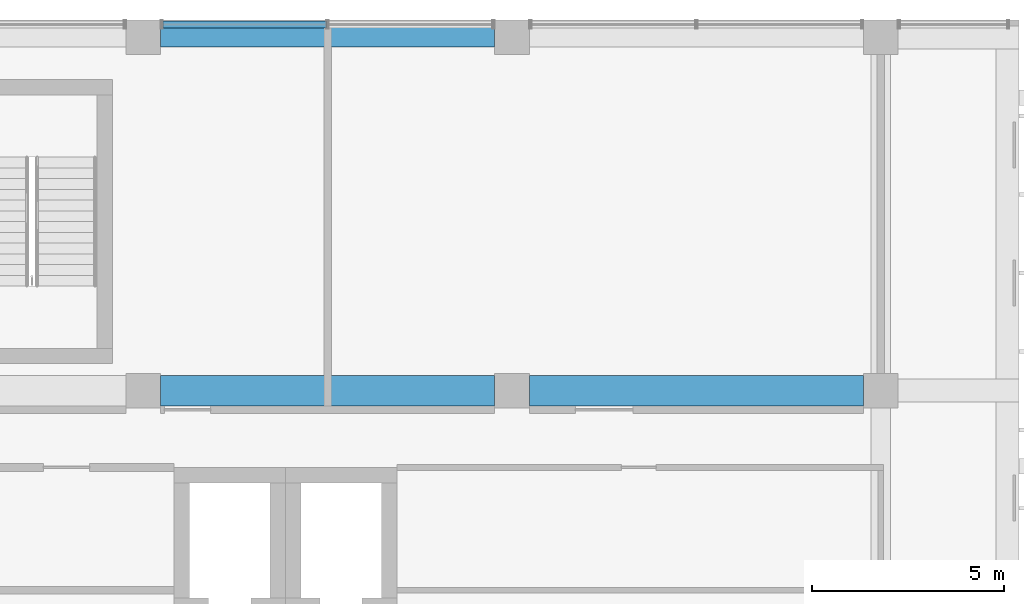
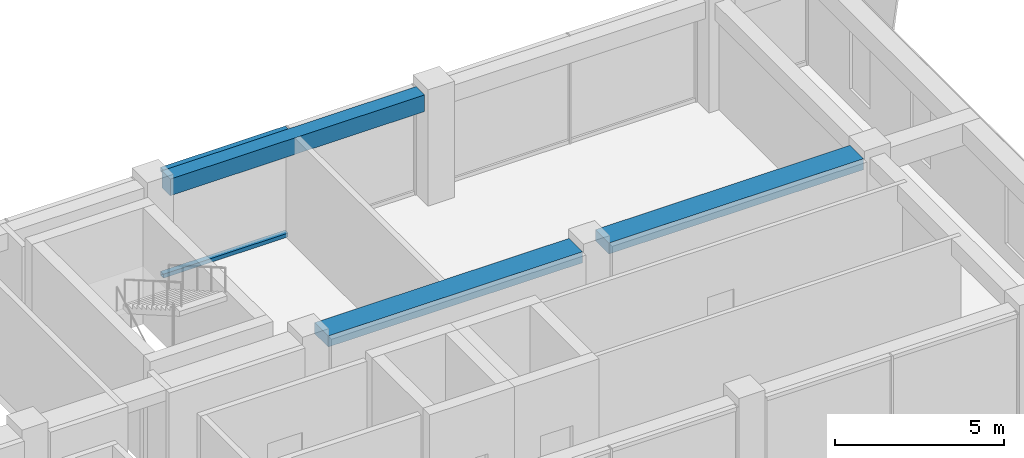
# One storey, part 23 of 37: 3 beams, 2 members, 1 element without a shape of its own.
"""IFC4 building model written with IfcOpenShell, lengths in metres."""

from ifc_helpers import new_model, si_unit, direction, frame, origin, origin_2d, place, context, subcontext, project, spatial, rectangle, hollow_rectangle, extrude, material, layer, layer_set, material_profile, profile_set, type_object, element, aggregate, save


model = new_model("IFC4")

# Units and contexts
model_context = context("Model", 3, precision=1e-05, world=origin(), true_north=direction((0.0, 1.0)))
body_context = subcontext(model_context, "Body", "Model", "MODEL_VIEW")
ifc_project = project(units=[si_unit("LENGTHUNIT", "METRE"), si_unit("AREAUNIT", "SQUARE_METRE"), si_unit("VOLUMEUNIT", "CUBIC_METRE"), si_unit("PLANEANGLEUNIT", "RADIAN"), si_unit("MASSUNIT", "GRAM", prefix="KILO")], contexts=[model_context])

# Site, building, storey
site_placement = place(None, origin())
site = spatial("IfcSite", under=ifc_project, at=site_placement, CompositionType="ELEMENT")
building_placement = place(site_placement, origin())
building = spatial("IfcBuilding", under=site, at=building_placement, Name="Nzadi Deep Aquarium and Research Tower", CompositionType="ELEMENT")
storey_placement = place(building_placement, frame((0.0, 0.0, 61.300048828125)))
storey = spatial("IfcBuildingStorey", under=building, at=storey_placement, Name="L12", CompositionType="ELEMENT", Elevation=61.300048828125)

# Beams
ifc_material_1 = material(Name="Concrete C35/45", Category="concrete")
ifc_material_profile_1 = material_profile(ifc_material_1, rectangle(XDim=0.5, YDim=0.60009765625, at=origin_2d()))
ifc_profile_set_1 = profile_set([ifc_material_profile_1], Name="Concrete C35/45")
beam_type_1 = type_object("IfcBeamType", Name="RC 500x600", PredefinedType="BEAM", material=ifc_profile_set_1)
beam_placement = place(storey_placement, frame((29.25, 46.0, 3.599853515625), z_axis=(1.0, 0.0, 0.0), x_axis=(0.0, 1.0, 0.0)))
element("IfcBeam", 1, at=beam_placement, inside=storey, type_object=beam_type_1, Name="B-Z1-L12-L6-4", PredefinedType="BEAM", context=body_context, shape_type="SweptSolid", body=[
    extrude(rectangle(XDim=0.5, YDim=0.60009765625, at=origin_2d()), origin(), (0.0, 0.0, 1.0), 8.699951171875),
])
ifc_material_2 = material(Name="Concrete C35/45", Category="concrete")
ifc_material_profile_2 = material_profile(ifc_material_2, rectangle(XDim=0.800048828125, YDim=0.39990234375, at=origin_2d()))
ifc_profile_set_2 = profile_set([ifc_material_profile_2], Name="Concrete C35/45")
beam_type_2 = type_object("IfcBeamType", Name="RC 800x400", PredefinedType="BEAM", material=ifc_profile_set_2)
for number, where, z_axis, x_axis, name in (
    (2, (29.25, 36.800048828125, 3.699951171875), (1.0, 0.0, 0.0), (0.0, 1.0, 0.0), "B-Z1-L12-L5-4"),
    (3, (38.85009765625, 36.800048828125, 3.699951171875), (1.0, 0.0, 0.0), (0.0, 1.0, 0.0), "B-Z1-L12-L5-5"),
):
    element("IfcBeam", number, at=place(storey_placement, frame(where, z_axis=z_axis, x_axis=x_axis)), inside=storey, type_object=beam_type_2, Name=name, PredefinedType="BEAM", context=body_context, shape_type="SweptSolid", body=[
        extrude(rectangle(XDim=0.800048828125, YDim=0.39990234375, at=origin_2d()), origin(), (0.0, 0.0, 1.0), 8.699951171875),
    ])

# Curtain wall, members
ifc_material_3 = material(Name="Aluminium unitised frame deep", Category="aluminium")
ifc_layer = layer(ifc_material_3, 0.22509765625)
ifc_layer_set = layer_set([ifc_layer], Name="Aluminium unitised frame deep")
curtain_wall_type = type_object("IfcCurtainWallType", Name="Curtain wall Unitised Deep 225", PredefinedType="NOTDEFINED", material=ifc_layer_set)
curtain_wall_placement = place(storey_placement, origin())
curtain_wall = element("IfcCurtainWall", 4, at=curtain_wall_placement, inside=storey, type_object=curtain_wall_type, Name="Unitised curtain wall blade B north L12", PredefinedType="NOTDEFINED")
ifc_material_4 = material(Name="Aluminium unitised frame deep", Category="aluminium")
ifc_material_profile_3 = material_profile(ifc_material_4, hollow_rectangle(XDim=0.179931640625, YDim=0.139892578125, WallThickness=0.0048828125, at=origin_2d()))
ifc_profile_set_3 = profile_set([ifc_material_profile_3], Name="Aluminium unitised frame deep")
member_type = type_object("IfcMemberType", Name="Transom 140x180 Unitised Deep", PredefinedType="MULLION", material=ifc_profile_set_3)
member_1_placement = place(storey_placement, frame((29.31005859375, 46.33740234375, 0.070068359375), z_axis=(1.0, 0.0, 0.0), x_axis=(0.0, 1.0, 0.0)))
member_1 = element("IfcMember", 5, at=member_1_placement, type_object=member_type, Name="CW161 transom 1.1", PredefinedType="MULLION", context=body_context, shape_type="SweptSolid", body=[
    extrude(hollow_rectangle(XDim=0.179931640625, YDim=0.139892578125, WallThickness=0.0048828125, at=origin_2d()), origin(), (0.0, 0.0, 1.0), 4.260009765625),
])
member_2_placement = place(storey_placement, frame((29.31005859375, 46.33740234375, 3.829833984375), z_axis=(1.0, 0.0, 0.0), x_axis=(0.0, 1.0, 0.0)))
member_2 = element("IfcMember", 6, at=member_2_placement, type_object=member_type, Name="CW161 transom 1.2", PredefinedType="MULLION", context=body_context, shape_type="SweptSolid", body=[
    extrude(hollow_rectangle(XDim=0.179931640625, YDim=0.139892578125, WallThickness=0.0048828125, at=origin_2d()), origin(), (0.0, 0.0, 1.0), 4.260009765625),
])
aggregate(curtain_wall, [member_1, member_2])

save(model, "model.ifc")
